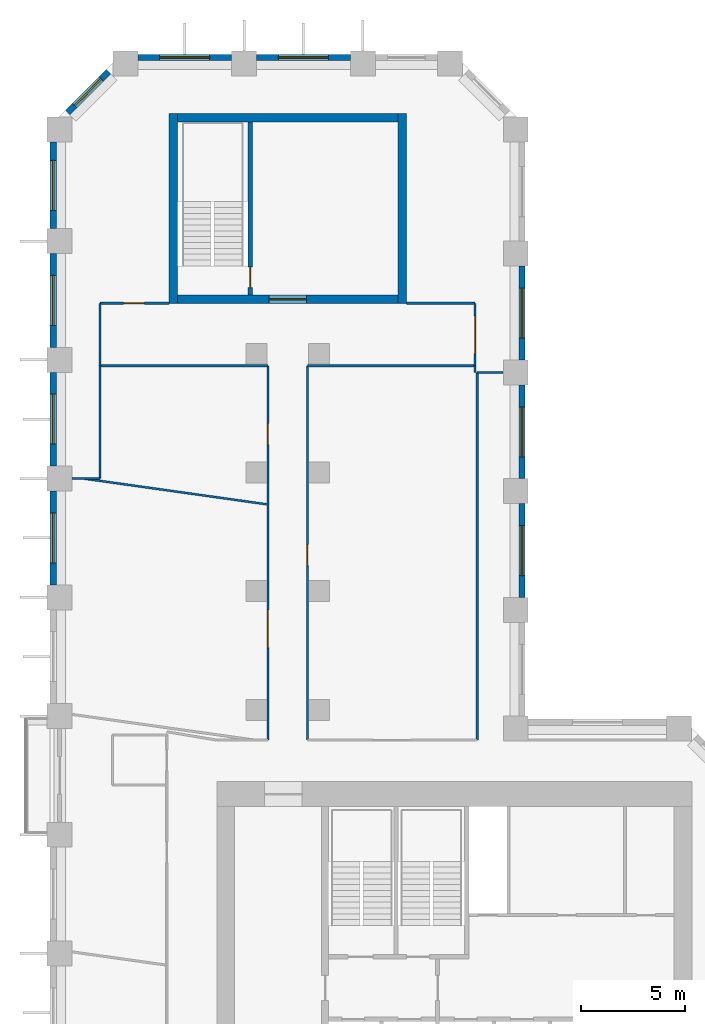
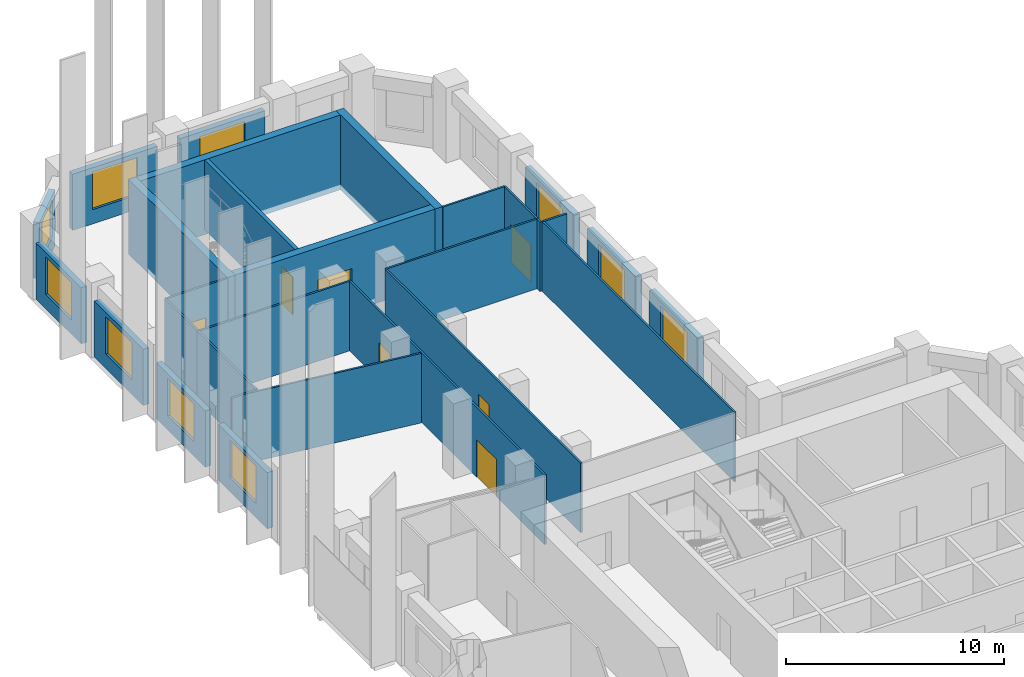
# One storey, part 8 of 10: 29 walls, 10 windows, 7 doors, 17 openings.
"""IFC4 building model written with IfcOpenShell, lengths in metres."""

from ifc_helpers import new_model, si_unit, direction, frame, frame_2d, origin, place, context, subcontext, project, spatial, rectangle, extrude, material, layer, layer_set, type_object, element, fill, save


model = new_model("IFC4")

# Units and contexts
model_context = context("Model", 3, precision=1e-05, world=origin(), true_north=direction((0.0, 1.0)))
body_context = subcontext(model_context, "Body", "Model", "MODEL_VIEW")
ifc_project = project(units=[si_unit("LENGTHUNIT", "METRE"), si_unit("AREAUNIT", "SQUARE_METRE"), si_unit("VOLUMEUNIT", "CUBIC_METRE"), si_unit("PLANEANGLEUNIT", "RADIAN"), si_unit("MASSUNIT", "GRAM", prefix="KILO")], contexts=[model_context])

# Site, building, storey
site_placement = place(None, origin())
site = spatial("IfcSite", under=ifc_project, at=site_placement, CompositionType="ELEMENT")
building_placement = place(site_placement, origin())
building = spatial("IfcBuilding", under=site, at=building_placement, Name="Meshkara Civic Tower", CompositionType="ELEMENT")
storey_placement = place(building_placement, frame((0.0, 0.0, 195.0)))
storey = spatial("IfcBuildingStorey", under=building, at=storey_placement, Name="L44", CompositionType="ELEMENT", Elevation=195.0)

# Walls
ifc_material_1 = material(Name="Corridor wall 100")
ifc_layer_1 = layer(ifc_material_1, 0.10009765625)
ifc_layer_set_1 = layer_set([ifc_layer_1], Name="Corridor wall 100")
wall_type_1 = type_object("IfcWallType", Name="Corridor wall 100", PredefinedType="PARTITIONING", material=ifc_layer_set_1)
wall_1_placement = place(storey_placement, frame((2.39990234375, 56.8701171875, 0.0), z_axis=(0.0, 0.0, 1.0), x_axis=(1.0, 0.0, 0.0)))
element("IfcWall", 1, at=wall_1_placement, inside=storey, type_object=wall_type_1, Name="L44-W001", PredefinedType="PARTITIONING", context=body_context, shape_type="SweptSolid", body=[
    extrude(rectangle(XDim=8.050048828125, YDim=0.10009765625, at=frame_2d((4.02490234375, 0.0))), origin(), (0.0, 0.0, 1.0), 3.89990234375),
])
wall_2_placement = place(storey_placement, frame((2.39990234375, 59.8701171875, 0.0), z_axis=(0.0, 0.0, 1.0), x_axis=(0.0, -1.0, 0.0)))
element("IfcWall", 2, at=wall_2_placement, inside=storey, type_object=wall_type_1, Name="L44-W002", PredefinedType="PARTITIONING", context=body_context, shape_type="SweptSolid", body=[
    extrude(rectangle(XDim=3.0, YDim=0.10009765625, at=frame_2d((1.5, 0.0))), origin(), (0.0, 0.0, 1.0), 3.89990234375),
])

# Wall, opening, door
wall_3_placement = place(storey_placement, frame((5.699951171875, 59.8701171875, 0.0), z_axis=(0.0, 0.0, 1.0), x_axis=(-1.0, 0.0, 0.0)))
wall_3 = element("IfcWall", 3, at=wall_3_placement, inside=storey, type_object=wall_type_1, Name="L44-W005", PredefinedType="PARTITIONING", context=body_context, shape_type="SweptSolid", body=[
    extrude(rectangle(XDim=3.300048828125, YDim=0.10009765625, at=frame_2d((1.64990234375, 0.0))), origin(), (0.0, 0.0, 1.0), 3.89990234375),
])
opening_1_placement = place(wall_3_placement, frame((1.179931640625, 0.0, 0.0)))
opening_1 = element("IfcOpeningElement", 4, at=opening_1_placement, cuts=wall_3, Name="Opening L44-D021", PredefinedType="OPENING", context=body_context, shape_type="SweptSolid", body=[
    extrude(rectangle(XDim=1.0, YDim=2.10009765625, at=frame_2d((0.5, 1.050048828125))), frame((0.0, 0.06005859375, 0.0), z_axis=(0.0, -1.0, 0.0), x_axis=(1.0, 0.0, 0.0)), (0.0, 0.0, 1.0), 0.1201171875),
])
ifc_material_2 = material(Name="Door 1000 x 2100")
door_type_1 = type_object("IfcDoorType", Name="Door 1000 x 2100", OperationType="SINGLE_SWING_LEFT", PredefinedType="DOOR", material=ifc_material_2)
door_1_placement = place(opening_1_placement, origin())
door_1 = element("IfcDoor", 5, at=door_1_placement, inside=storey, type_object=door_type_1, Name="L44-D021", OperationType="SINGLE_SWING_LEFT", OverallHeight=2.10009765625, OverallWidth=1.0, PredefinedType="DOOR", context=body_context, shape_type="SweptSolid", body=[
    extrude(rectangle(XDim=1.0, YDim=2.10009765625, at=frame_2d((0.5, 1.050048828125))), frame((0.0, 0.02490234375, 0.0), z_axis=(0.0, -1.0, 0.0), x_axis=(1.0, 0.0, 0.0)), (0.0, 0.0, 1.0), 0.050048828125),
])
fill(opening_1, door_1)

# Wall, openings, doors
wall_4_placement = place(storey_placement, frame((10.449951171875, 56.8701171875, 0.0), z_axis=(0.0, 0.0, 1.0), x_axis=(0.0, -1.0, 0.0)))
wall_4 = element("IfcWall", 6, at=wall_4_placement, inside=storey, type_object=wall_type_1, Name="L44-W013", PredefinedType="PARTITIONING", context=body_context, shape_type="SweptSolid", body=[
    extrude(rectangle(XDim=17.97021484375, YDim=0.10009765625, at=frame_2d((8.985107421875, 0.0))), origin(), (0.0, 0.0, 1.0), 3.89990234375),
])
opening_2_placement = place(wall_4_placement, frame((11.73095703125, 0.0, 0.0)))
opening_2 = element("IfcOpeningElement", 7, at=opening_2_placement, cuts=wall_4, Name="Opening L44-D018", PredefinedType="OPENING", context=body_context, shape_type="SweptSolid", body=[
    extrude(rectangle(XDim=1.800048828125, YDim=2.10009765625, at=frame_2d((0.89990234375, 1.050048828125))), frame((0.0, 0.06005859375, 0.0), z_axis=(0.0, -1.0, 0.0), x_axis=(1.0, 0.0, 0.0)), (0.0, 0.0, 1.0), 0.1201171875),
])
opening_3_placement = place(wall_4_placement, frame((2.780029296875, 0.0, 0.0)))
opening_3 = element("IfcOpeningElement", 8, at=opening_3_placement, cuts=wall_4, Name="Opening L44-D020", PredefinedType="OPENING", context=body_context, shape_type="SweptSolid", body=[
    extrude(rectangle(XDim=1.0, YDim=2.10009765625, at=frame_2d((0.5, 1.050048828125))), frame((0.0, 0.06005859375, 0.0), z_axis=(0.0, -1.0, 0.0), x_axis=(1.0, 0.0, 0.0)), (0.0, 0.0, 1.0), 0.1201171875),
])
door_2_placement = place(opening_3_placement, origin())
door_2 = element("IfcDoor", 9, at=door_2_placement, inside=storey, type_object=door_type_1, Name="L44-D020", OperationType="SINGLE_SWING_RIGHT", OverallHeight=2.10009765625, OverallWidth=1.0, PredefinedType="DOOR", context=body_context, shape_type="SweptSolid", body=[
    extrude(rectangle(XDim=1.0, YDim=2.10009765625, at=frame_2d((0.5, 1.050048828125))), frame((0.0, 0.02490234375, 0.0), z_axis=(0.0, -1.0, 0.0), x_axis=(1.0, 0.0, 0.0)), (0.0, 0.0, 1.0), 0.050048828125),
])
fill(opening_3, door_2)
ifc_material_3 = material(Name="Door pair 1800 x 2100")
door_type_2 = type_object("IfcDoorType", Name="Door pair 1800 x 2100", OperationType="SINGLE_SWING_LEFT", PredefinedType="DOOR", material=ifc_material_3)
door_3_placement = place(opening_2_placement, origin())
door_3 = element("IfcDoor", 10, at=door_3_placement, inside=storey, type_object=door_type_2, Name="L44-D018", OperationType="DOUBLE_DOOR_SINGLE_SWING", OverallHeight=2.10009765625, OverallWidth=1.800048828125, PredefinedType="DOOR", context=body_context, shape_type="SweptSolid", body=[
    extrude(rectangle(XDim=1.800048828125, YDim=2.10009765625, at=frame_2d((0.89990234375, 1.050048828125))), frame((0.0, 0.02490234375, 0.0), z_axis=(0.0, -1.0, 0.0), x_axis=(1.0, 0.0, 0.0)), (0.0, 0.0, 1.0), 0.050048828125),
])
fill(opening_2, door_3)

# Wall, opening, door
wall_5_placement = place(storey_placement, frame((12.35009765625, 38.89990234375, 0.0), z_axis=(0.0, 0.0, 1.0), x_axis=(0.0, 1.0, 0.0)))
wall_5 = element("IfcWall", 11, at=wall_5_placement, inside=storey, type_object=wall_type_1, Name="L44-W014", PredefinedType="PARTITIONING", context=body_context, shape_type="SweptSolid", body=[
    extrude(rectangle(XDim=17.97021484375, YDim=0.10009765625, at=frame_2d((8.985107421875, 0.0))), origin(), (0.0, 0.0, 1.0), 3.89990234375),
])
opening_4_placement = place(wall_5_placement, frame((8.3798828125, 0.0, 0.0)))
opening_4 = element("IfcOpeningElement", 12, at=opening_4_placement, cuts=wall_5, Name="Opening L44-D019", PredefinedType="OPENING", context=body_context, shape_type="SweptSolid", body=[
    extrude(rectangle(XDim=1.0, YDim=2.10009765625, at=frame_2d((0.5, 1.050048828125))), frame((0.0, 0.06005859375, 0.0), z_axis=(0.0, -1.0, 0.0), x_axis=(1.0, 0.0, 0.0)), (0.0, 0.0, 1.0), 0.1201171875),
])
door_4_placement = place(opening_4_placement, origin())
door_4 = element("IfcDoor", 13, at=door_4_placement, inside=storey, type_object=door_type_1, Name="L44-D019", OperationType="SINGLE_SWING_RIGHT", OverallHeight=2.10009765625, OverallWidth=1.0, PredefinedType="DOOR", context=body_context, shape_type="SweptSolid", body=[
    extrude(rectangle(XDim=1.0, YDim=2.10009765625, at=frame_2d((0.5, 1.050048828125))), frame((0.0, 0.02490234375, 0.0), z_axis=(0.0, -1.0, 0.0), x_axis=(1.0, 0.0, 0.0)), (0.0, 0.0, 1.0), 0.050048828125),
])
fill(opening_4, door_4)

# Wall
wall_6_placement = place(storey_placement, frame((12.35009765625, 56.8701171875, 0.0), z_axis=(0.0, 0.0, 1.0), x_axis=(1.0, 0.0, 0.0)))
element("IfcWall", 14, at=wall_6_placement, inside=storey, type_object=wall_type_1, Name="L44-W015", PredefinedType="PARTITIONING", context=body_context, shape_type="SweptSolid", body=[
    extrude(rectangle(XDim=8.0498046875, YDim=0.10009765625, at=frame_2d((4.02490234375, 0.0))), origin(), (0.0, 0.0, 1.0), 3.89990234375),
])

# Wall, opening, door
wall_7_placement = place(storey_placement, frame((20.39990234375, 56.8701171875, 0.0), z_axis=(0.0, 0.0, 1.0), x_axis=(0.0, 1.0, 0.0)))
wall_7 = element("IfcWall", 15, at=wall_7_placement, inside=storey, type_object=wall_type_1, Name="L44-W017", PredefinedType="PARTITIONING", context=body_context, shape_type="SweptSolid", body=[
    extrude(rectangle(XDim=3.0, YDim=0.10009765625, at=frame_2d((1.5, 0.0))), origin(), (0.0, 0.0, 1.0), 3.89990234375),
])
opening_5_placement = place(wall_7_placement, frame((0.580078125, 0.0, 0.0)))
opening_5 = element("IfcOpeningElement", 16, at=opening_5_placement, cuts=wall_7, Name="Opening L44-D022", PredefinedType="OPENING", context=body_context, shape_type="SweptSolid", body=[
    extrude(rectangle(XDim=1.800048828125, YDim=2.10009765625, at=frame_2d((0.89990234375, 1.050048828125))), frame((0.0, 0.06005859375, 0.0), z_axis=(0.0, -1.0, 0.0), x_axis=(1.0, 0.0, 0.0)), (0.0, 0.0, 1.0), 0.1201171875),
])
door_5_placement = place(opening_5_placement, origin())
door_5 = element("IfcDoor", 17, at=door_5_placement, inside=storey, type_object=door_type_2, Name="L44-D022", OperationType="DOUBLE_DOOR_SINGLE_SWING", OverallHeight=2.10009765625, OverallWidth=1.800048828125, PredefinedType="DOOR", context=body_context, shape_type="SweptSolid", body=[
    extrude(rectangle(XDim=1.800048828125, YDim=2.10009765625, at=frame_2d((0.89990234375, 1.050048828125))), frame((0.0, 0.02490234375, 0.0), z_axis=(0.0, -1.0, 0.0), x_axis=(1.0, 0.0, 0.0)), (0.0, 0.0, 1.0), 0.050048828125),
])
fill(opening_5, door_5)

# Walls
wall_8_placement = place(storey_placement, frame((20.39990234375, 59.8701171875, 0.0), z_axis=(0.0, 0.0, 1.0), x_axis=(-1.0, 0.0, 0.0)))
element("IfcWall", 18, at=wall_8_placement, inside=storey, type_object=wall_type_1, Name="L44-W018", PredefinedType="PARTITIONING", context=body_context, shape_type="SweptSolid", body=[
    extrude(rectangle(XDim=3.2998046875, YDim=0.10009765625, at=frame_2d((1.64990234375, 0.0))), origin(), (0.0, 0.0, 1.0), 3.89990234375),
])
wall_9_placement = place(storey_placement, frame((20.5, 56.550048828125, 0.0), z_axis=(0.0, 0.0, 1.0), x_axis=(0.0, -1.0, 0.0)))
element("IfcWall", 19, at=wall_9_placement, inside=storey, type_object=wall_type_1, Name="L44-W020", PredefinedType="PARTITIONING", context=body_context, shape_type="SweptSolid", body=[
    extrude(rectangle(XDim=17.650146484375, YDim=0.10009765625, at=frame_2d((8.8251953125, 0.0))), origin(), (0.0, 0.0, 1.0), 3.89990234375),
])
wall_10_placement = place(storey_placement, frame((21.75, 56.550048828125, 0.0), z_axis=(0.0, 0.0, 1.0), x_axis=(-1.0, 0.0, 0.0)))
element("IfcWall", 20, at=wall_10_placement, inside=storey, type_object=wall_type_1, Name="L44-W021", PredefinedType="PARTITIONING", context=body_context, shape_type="SweptSolid", body=[
    extrude(rectangle(XDim=1.25, YDim=0.10009765625, at=frame_2d((0.625, 0.0))), origin(), (0.0, 0.0, 1.0), 3.89990234375),
])

# Wall, opening, window
ifc_material_4 = material(Name="Insulated infill panel with bronze anodised aluminium cladding", Category="aluminium")
ifc_layer_2 = layer(ifc_material_4, 0.300048828125)
ifc_layer_set_2 = layer_set([ifc_layer_2], Name="EXTERNAL INFILL WALL 300")
wall_type_2 = type_object("IfcWallType", Name="EXTERNAL INFILL WALL 300", PredefinedType="SOLIDWALL", material=ifc_layer_set_2)
wall_11_placement = place(storey_placement, frame((22.64990234375, 45.75, 0.0), z_axis=(0.0, 0.0, 1.0), x_axis=(0.0, 1.0, 0.0)))
wall_11 = element("IfcWall", 21, at=wall_11_placement, inside=storey, type_object=wall_type_2, Name="External wall", PredefinedType="SOLIDWALL", context=body_context, shape_type="SweptSolid", body=[
    extrude(rectangle(XDim=4.5, YDim=0.300048828125, at=frame_2d((2.25, 0.0))), origin(), (0.0, 0.0, 1.0), 3.14990234375),
])
opening_6_placement = place(wall_11_placement, frame((1.050048828125, 0.0, 0.800048828125)))
opening_6 = element("IfcOpeningElement", 22, at=opening_6_placement, cuts=wall_11, Name="Opening W7", PredefinedType="OPENING", context=body_context, shape_type="SweptSolid", body=[
    extrude(rectangle(XDim=2.39990234375, YDim=2.10009765625, at=frame_2d((1.199951171875, 1.050048828125))), frame((0.0, 0.159912109375, 0.0), z_axis=(0.0, -1.0, 0.0), x_axis=(1.0, 0.0, 0.0)), (0.0, 0.0, 1.0), 0.320068359375),
])
ifc_material_5 = material(Name="Tinted double glazing", Category="glass")
window_type_1 = type_object("IfcWindowType", Name="WINDOW 2400x2100", PartitioningType="DOUBLE_PANEL_VERTICAL", PredefinedType="WINDOW", material=ifc_material_5)
window_1_placement = place(opening_6_placement, origin())
window_1 = element("IfcWindow", 23, at=window_1_placement, inside=storey, type_object=window_type_1, Name="Window", OverallHeight=2.10009765625, OverallWidth=2.39990234375, PartitioningType="DOUBLE_PANEL_VERTICAL", PredefinedType="WINDOW", context=body_context, shape_type="SweptSolid", body=[
    extrude(rectangle(XDim=2.39990234375, YDim=2.10009765625, at=frame_2d((1.199951171875, 1.050048828125))), frame((0.0, 0.030029296875, 0.0), z_axis=(0.0, -1.0, 0.0), x_axis=(1.0, 0.0, 0.0)), (0.0, 0.0, 1.0), 0.06005859375),
])
fill(opening_6, window_1)

wall_12_placement = place(storey_placement, frame((22.64990234375, 51.449951171875, 0.0), z_axis=(0.0, 0.0, 1.0), x_axis=(0.0, 1.0, 0.0)))
wall_12 = element("IfcWall", 24, at=wall_12_placement, inside=storey, type_object=wall_type_2, Name="External wall", PredefinedType="SOLIDWALL", context=body_context, shape_type="SweptSolid", body=[
    extrude(rectangle(XDim=4.5, YDim=0.300048828125, at=frame_2d((2.25, 0.0))), origin(), (0.0, 0.0, 1.0), 3.14990234375),
])
opening_7_placement = place(wall_12_placement, frame((1.050048828125, 0.0, 0.800048828125)))
opening_7 = element("IfcOpeningElement", 25, at=opening_7_placement, cuts=wall_12, Name="Opening W7", PredefinedType="OPENING", context=body_context, shape_type="SweptSolid", body=[
    extrude(rectangle(XDim=2.39990234375, YDim=2.10009765625, at=frame_2d((1.199951171875, 1.050048828125))), frame((0.0, 0.159912109375, 0.0), z_axis=(0.0, -1.0, 0.0), x_axis=(1.0, 0.0, 0.0)), (0.0, 0.0, 1.0), 0.320068359375),
])
window_2_placement = place(opening_7_placement, origin())
window_2 = element("IfcWindow", 26, at=window_2_placement, inside=storey, type_object=window_type_1, Name="Window", OverallHeight=2.10009765625, OverallWidth=2.39990234375, PartitioningType="DOUBLE_PANEL_VERTICAL", PredefinedType="WINDOW", context=body_context, shape_type="SweptSolid", body=[
    extrude(rectangle(XDim=2.39990234375, YDim=2.10009765625, at=frame_2d((1.199951171875, 1.050048828125))), frame((0.0, 0.030029296875, 0.0), z_axis=(0.0, -1.0, 0.0), x_axis=(1.0, 0.0, 0.0)), (0.0, 0.0, 1.0), 0.06005859375),
])
fill(opening_7, window_2)

wall_13_placement = place(storey_placement, frame((22.64990234375, 57.14990234375, 0.0), z_axis=(0.0, 0.0, 1.0), x_axis=(0.0, 1.0, 0.0)))
wall_13 = element("IfcWall", 27, at=wall_13_placement, inside=storey, type_object=wall_type_2, Name="External wall", PredefinedType="SOLIDWALL", context=body_context, shape_type="SweptSolid", body=[
    extrude(rectangle(XDim=4.5, YDim=0.300048828125, at=frame_2d((2.25, 0.0))), origin(), (0.0, 0.0, 1.0), 3.14990234375),
])
opening_8_placement = place(wall_13_placement, frame((1.050048828125, 0.0, 0.800048828125)))
opening_8 = element("IfcOpeningElement", 28, at=opening_8_placement, cuts=wall_13, Name="Opening W7", PredefinedType="OPENING", context=body_context, shape_type="SweptSolid", body=[
    extrude(rectangle(XDim=2.39990234375, YDim=2.10009765625, at=frame_2d((1.199951171875, 1.050048828125))), frame((0.0, 0.159912109375, 0.0), z_axis=(0.0, -1.0, 0.0), x_axis=(1.0, 0.0, 0.0)), (0.0, 0.0, 1.0), 0.320068359375),
])
window_3_placement = place(opening_8_placement, origin())
window_3 = element("IfcWindow", 29, at=window_3_placement, inside=storey, type_object=window_type_1, Name="Window", OverallHeight=2.10009765625, OverallWidth=2.39990234375, PartitioningType="DOUBLE_PANEL_VERTICAL", PredefinedType="WINDOW", context=body_context, shape_type="SweptSolid", body=[
    extrude(rectangle(XDim=2.39990234375, YDim=2.10009765625, at=frame_2d((1.199951171875, 1.050048828125))), frame((0.0, 0.030029296875, 0.0), z_axis=(0.0, -1.0, 0.0), x_axis=(1.0, 0.0, 0.0)), (0.0, 0.0, 1.0), 0.06005859375),
])
fill(opening_8, window_3)

wall_14_placement = place(storey_placement, frame((14.406005859375, 71.669921875, 0.0), z_axis=(0.0, 0.0, 1.0), x_axis=(-1.0, 0.0, 0.0)))
wall_14 = element("IfcWall", 30, at=wall_14_placement, inside=storey, type_object=wall_type_2, Name="External wall", PredefinedType="SOLIDWALL", context=body_context, shape_type="SweptSolid", body=[
    extrude(rectangle(XDim=4.5, YDim=0.300048828125, at=frame_2d((2.25, 0.0))), origin(), (0.0, 0.0, 1.0), 3.14990234375),
])
opening_9_placement = place(wall_14_placement, frame((1.050048828125, 0.0, 0.800048828125)))
opening_9 = element("IfcOpeningElement", 31, at=opening_9_placement, cuts=wall_14, Name="Opening W7", PredefinedType="OPENING", context=body_context, shape_type="SweptSolid", body=[
    extrude(rectangle(XDim=2.39990234375, YDim=2.10009765625, at=frame_2d((1.199951171875, 1.050048828125))), frame((0.0, 0.159912109375, 0.0), z_axis=(0.0, -1.0, 0.0), x_axis=(1.0, 0.0, 0.0)), (0.0, 0.0, 1.0), 0.320068359375),
])
window_4_placement = place(opening_9_placement, origin())
window_4 = element("IfcWindow", 32, at=window_4_placement, inside=storey, type_object=window_type_1, Name="Window", OverallHeight=2.10009765625, OverallWidth=2.39990234375, PartitioningType="DOUBLE_PANEL_VERTICAL", PredefinedType="WINDOW", context=body_context, shape_type="SweptSolid", body=[
    extrude(rectangle(XDim=2.39990234375, YDim=2.10009765625, at=frame_2d((1.199951171875, 1.050048828125))), frame((0.0, 0.030029296875, 0.0), z_axis=(0.0, -1.0, 0.0), x_axis=(1.0, 0.0, 0.0)), (0.0, 0.0, 1.0), 0.06005859375),
])
fill(opening_9, window_4)

wall_15_placement = place(storey_placement, frame((8.7060546875, 71.669921875, 0.0), z_axis=(0.0, 0.0, 1.0), x_axis=(-1.0, 0.0, 0.0)))
wall_15 = element("IfcWall", 33, at=wall_15_placement, inside=storey, type_object=wall_type_2, Name="External wall", PredefinedType="SOLIDWALL", context=body_context, shape_type="SweptSolid", body=[
    extrude(rectangle(XDim=4.5, YDim=0.300048828125, at=frame_2d((2.25, 0.0))), origin(), (0.0, 0.0, 1.0), 3.14990234375),
])
opening_10_placement = place(wall_15_placement, frame((1.050048828125, 0.0, 0.800048828125)))
opening_10 = element("IfcOpeningElement", 34, at=opening_10_placement, cuts=wall_15, Name="Opening W7", PredefinedType="OPENING", context=body_context, shape_type="SweptSolid", body=[
    extrude(rectangle(XDim=2.39990234375, YDim=2.10009765625, at=frame_2d((1.199951171875, 1.050048828125))), frame((0.0, 0.159912109375, 0.0), z_axis=(0.0, -1.0, 0.0), x_axis=(1.0, 0.0, 0.0)), (0.0, 0.0, 1.0), 0.320068359375),
])
window_5_placement = place(opening_10_placement, origin())
window_5 = element("IfcWindow", 35, at=window_5_placement, inside=storey, type_object=window_type_1, Name="Window", OverallHeight=2.10009765625, OverallWidth=2.39990234375, PartitioningType="DOUBLE_PANEL_VERTICAL", PredefinedType="WINDOW", context=body_context, shape_type="SweptSolid", body=[
    extrude(rectangle(XDim=2.39990234375, YDim=2.10009765625, at=frame_2d((1.199951171875, 1.050048828125))), frame((0.0, 0.030029296875, 0.0), z_axis=(0.0, -1.0, 0.0), x_axis=(1.0, 0.0, 0.0)), (0.0, 0.0, 1.0), 0.06005859375),
])
fill(opening_10, window_5)

wall_16_placement = place(storey_placement, frame((2.7939453125, 70.98193359375, 0.0), z_axis=(0.0, 0.0, 1.0), x_axis=(-0.707106781187, -0.707106781187, 0.0)))
wall_16 = element("IfcWall", 36, at=wall_16_placement, inside=storey, type_object=wall_type_2, Name="External wall", PredefinedType="SOLIDWALL", context=body_context, shape_type="SweptSolid", body=[
    extrude(rectangle(XDim=2.766357421875, YDim=0.300048828125, at=frame_2d((1.38330078125, 0.0))), origin(), (0.0, 0.0, 1.0), 3.14990234375),
])
opening_11_placement = place(wall_16_placement, frame((0.48291015625, 0.0, 0.800048828125)))
opening_11 = element("IfcOpeningElement", 37, at=opening_11_placement, cuts=wall_16, Name="Opening W9", PredefinedType="OPENING", context=body_context, shape_type="SweptSolid", body=[
    extrude(rectangle(XDim=1.800048828125, YDim=2.10009765625, at=frame_2d((0.89990234375, 1.050048828125))), frame((0.0, 0.159912109375, 0.0), z_axis=(0.0, -1.0, 0.0), x_axis=(1.0, 0.0, 0.0)), (0.0, 0.0, 1.0), 0.320068359375),
])
ifc_material_6 = material(Name="Tinted double glazing", Category="glass")
window_type_2 = type_object("IfcWindowType", Name="WINDOW 1800x2100", PartitioningType="DOUBLE_PANEL_VERTICAL", PredefinedType="WINDOW", material=ifc_material_6)
window_6_placement = place(opening_11_placement, origin())
window_6 = element("IfcWindow", 38, at=window_6_placement, inside=storey, type_object=window_type_2, Name="Window", OverallHeight=2.10009765625, OverallWidth=1.800048828125, PartitioningType="DOUBLE_PANEL_VERTICAL", PredefinedType="WINDOW", context=body_context, shape_type="SweptSolid", body=[
    extrude(rectangle(XDim=1.800048828125, YDim=2.10009765625, at=frame_2d((0.89990234375, 1.050048828125))), frame((0.0, 0.030029296875, 0.0), z_axis=(0.0, -1.0, 0.0), x_axis=(1.0, 0.0, 0.0)), (0.0, 0.0, 1.0), 0.06005859375),
])
fill(opening_11, window_6)

wall_17_placement = place(storey_placement, frame((0.14990234375, 67.614013671875, 0.0), z_axis=(0.0, 0.0, 1.0), x_axis=(0.0, -1.0, 0.0)))
wall_17 = element("IfcWall", 39, at=wall_17_placement, inside=storey, type_object=wall_type_2, Name="External wall", PredefinedType="SOLIDWALL", context=body_context, shape_type="SweptSolid", body=[
    extrude(rectangle(XDim=4.158935546875, YDim=0.300048828125, at=frame_2d((2.07958984375, 0.0))), origin(), (0.0, 0.0, 1.0), 3.14990234375),
])
opening_12_placement = place(wall_17_placement, frame((0.8798828125, 0.0, 0.800048828125)))
opening_12 = element("IfcOpeningElement", 40, at=opening_12_placement, cuts=wall_17, Name="Opening W7", PredefinedType="OPENING", context=body_context, shape_type="SweptSolid", body=[
    extrude(rectangle(XDim=2.39990234375, YDim=2.10009765625, at=frame_2d((1.199951171875, 1.050048828125))), frame((0.0, 0.159912109375, 0.0), z_axis=(0.0, -1.0, 0.0), x_axis=(1.0, 0.0, 0.0)), (0.0, 0.0, 1.0), 0.320068359375),
])
window_7_placement = place(opening_12_placement, origin())
window_7 = element("IfcWindow", 41, at=window_7_placement, inside=storey, type_object=window_type_1, Name="Window", OverallHeight=2.10009765625, OverallWidth=2.39990234375, PartitioningType="DOUBLE_PANEL_VERTICAL", PredefinedType="WINDOW", context=body_context, shape_type="SweptSolid", body=[
    extrude(rectangle(XDim=2.39990234375, YDim=2.10009765625, at=frame_2d((1.199951171875, 1.050048828125))), frame((0.0, 0.030029296875, 0.0), z_axis=(0.0, -1.0, 0.0), x_axis=(1.0, 0.0, 0.0)), (0.0, 0.0, 1.0), 0.06005859375),
])
fill(opening_12, window_7)

wall_18_placement = place(storey_placement, frame((0.14990234375, 62.2548828125, 0.0), z_axis=(0.0, 0.0, 1.0), x_axis=(0.0, -1.0, 0.0)))
wall_18 = element("IfcWall", 42, at=wall_18_placement, inside=storey, type_object=wall_type_2, Name="External wall", PredefinedType="SOLIDWALL", context=body_context, shape_type="SweptSolid", body=[
    extrude(rectangle(XDim=4.5, YDim=0.300048828125, at=frame_2d((2.25, 0.0))), origin(), (0.0, 0.0, 1.0), 3.14990234375),
])
opening_13_placement = place(wall_18_placement, frame((1.050048828125, 0.0, 0.800048828125)))
opening_13 = element("IfcOpeningElement", 43, at=opening_13_placement, cuts=wall_18, Name="Opening W7", PredefinedType="OPENING", context=body_context, shape_type="SweptSolid", body=[
    extrude(rectangle(XDim=2.39990234375, YDim=2.10009765625, at=frame_2d((1.199951171875, 1.050048828125))), frame((0.0, 0.159912109375, 0.0), z_axis=(0.0, -1.0, 0.0), x_axis=(1.0, 0.0, 0.0)), (0.0, 0.0, 1.0), 0.320068359375),
])
window_8_placement = place(opening_13_placement, origin())
window_8 = element("IfcWindow", 44, at=window_8_placement, inside=storey, type_object=window_type_1, Name="Window", OverallHeight=2.10009765625, OverallWidth=2.39990234375, PartitioningType="DOUBLE_PANEL_VERTICAL", PredefinedType="WINDOW", context=body_context, shape_type="SweptSolid", body=[
    extrude(rectangle(XDim=2.39990234375, YDim=2.10009765625, at=frame_2d((1.199951171875, 1.050048828125))), frame((0.0, 0.030029296875, 0.0), z_axis=(0.0, -1.0, 0.0), x_axis=(1.0, 0.0, 0.0)), (0.0, 0.0, 1.0), 0.06005859375),
])
fill(opening_13, window_8)

wall_19_placement = place(storey_placement, frame((0.14990234375, 56.554931640625, 0.0), z_axis=(0.0, 0.0, 1.0), x_axis=(0.0, -1.0, 0.0)))
wall_19 = element("IfcWall", 45, at=wall_19_placement, inside=storey, type_object=wall_type_2, Name="External wall", PredefinedType="SOLIDWALL", context=body_context, shape_type="SweptSolid", body=[
    extrude(rectangle(XDim=4.5, YDim=0.300048828125, at=frame_2d((2.25, 0.0))), origin(), (0.0, 0.0, 1.0), 3.14990234375),
])
opening_14_placement = place(wall_19_placement, frame((1.050048828125, 0.0, 0.800048828125)))
opening_14 = element("IfcOpeningElement", 46, at=opening_14_placement, cuts=wall_19, Name="Opening W7", PredefinedType="OPENING", context=body_context, shape_type="SweptSolid", body=[
    extrude(rectangle(XDim=2.39990234375, YDim=2.10009765625, at=frame_2d((1.199951171875, 1.050048828125))), frame((0.0, 0.159912109375, 0.0), z_axis=(0.0, -1.0, 0.0), x_axis=(1.0, 0.0, 0.0)), (0.0, 0.0, 1.0), 0.320068359375),
])
window_9_placement = place(opening_14_placement, origin())
window_9 = element("IfcWindow", 47, at=window_9_placement, inside=storey, type_object=window_type_1, Name="Window", OverallHeight=2.10009765625, OverallWidth=2.39990234375, PartitioningType="DOUBLE_PANEL_VERTICAL", PredefinedType="WINDOW", context=body_context, shape_type="SweptSolid", body=[
    extrude(rectangle(XDim=2.39990234375, YDim=2.10009765625, at=frame_2d((1.199951171875, 1.050048828125))), frame((0.0, 0.030029296875, 0.0), z_axis=(0.0, -1.0, 0.0), x_axis=(1.0, 0.0, 0.0)), (0.0, 0.0, 1.0), 0.06005859375),
])
fill(opening_14, window_9)

wall_20_placement = place(storey_placement, frame((0.14990234375, 50.85498046875, 0.0), z_axis=(0.0, 0.0, 1.0), x_axis=(0.0, -1.0, 0.0)))
wall_20 = element("IfcWall", 48, at=wall_20_placement, inside=storey, type_object=wall_type_2, Name="External wall", PredefinedType="SOLIDWALL", context=body_context, shape_type="SweptSolid", body=[
    extrude(rectangle(XDim=4.5, YDim=0.300048828125, at=frame_2d((2.25, 0.0))), origin(), (0.0, 0.0, 1.0), 3.14990234375),
])
opening_15_placement = place(wall_20_placement, frame((1.050048828125, 0.0, 0.800048828125)))
opening_15 = element("IfcOpeningElement", 49, at=opening_15_placement, cuts=wall_20, Name="Opening W7", PredefinedType="OPENING", context=body_context, shape_type="SweptSolid", body=[
    extrude(rectangle(XDim=2.39990234375, YDim=2.10009765625, at=frame_2d((1.199951171875, 1.050048828125))), frame((0.0, 0.159912109375, 0.0), z_axis=(0.0, -1.0, 0.0), x_axis=(1.0, 0.0, 0.0)), (0.0, 0.0, 1.0), 0.320068359375),
])
window_10_placement = place(opening_15_placement, origin())
window_10 = element("IfcWindow", 50, at=window_10_placement, inside=storey, type_object=window_type_1, Name="Window", OverallHeight=2.10009765625, OverallWidth=2.39990234375, PartitioningType="DOUBLE_PANEL_VERTICAL", PredefinedType="WINDOW", context=body_context, shape_type="SweptSolid", body=[
    extrude(rectangle(XDim=2.39990234375, YDim=2.10009765625, at=frame_2d((1.199951171875, 1.050048828125))), frame((0.0, 0.030029296875, 0.0), z_axis=(0.0, -1.0, 0.0), x_axis=(1.0, 0.0, 0.0)), (0.0, 0.0, 1.0), 0.06005859375),
])
fill(opening_15, window_10)

# Walls
ifc_material_7 = material(Name="Concrete C70", Category="concrete")
ifc_layer_3 = layer(ifc_material_7, 0.39990234375)
ifc_layer_set_3 = layer_set([ifc_layer_3], Name="End core ring wall 400 C70")
wall_type_3 = type_object("IfcWallType", Name="End core ring wall 400 C70", PredefinedType="SHEAR", material=ifc_layer_set_3)
for number, where, z_axis, x_axis, name in (
    (51, (5.89990234375, 59.8701171875, -0.300048828125), (0.0, 0.0, 1.0), (0.0, 1.0, 0.0), "L44-C023"),
    (52, (16.89990234375, 59.8701171875, -0.300048828125), (0.0, 0.0, 1.0), (0.0, 1.0, 0.0), "L44-C024"),
):
    element("IfcWall", number, at=place(storey_placement, frame(where, z_axis=z_axis, x_axis=x_axis)), inside=storey, type_object=wall_type_3, Name=name, PredefinedType="SHEAR", context=body_context, shape_type="SweptSolid", body=[
        extrude(rectangle(XDim=9.099853515625, YDim=0.39990234375, at=frame_2d((4.5498046875, 0.0))), origin(), (0.0, 0.0, 1.0), 4.199951171875),
    ])

# Wall, opening, door
wall_21_placement = place(storey_placement, frame((6.10009765625, 60.070068359375, -0.300048828125), z_axis=(0.0, 0.0, 1.0), x_axis=(1.0, 0.0, 0.0)))
wall_21 = element("IfcWall", 53, at=wall_21_placement, inside=storey, type_object=wall_type_3, Name="L44-C025", PredefinedType="SHEAR", context=body_context, shape_type="SweptSolid", body=[
    extrude(rectangle(XDim=10.599853515625, YDim=0.39990234375, at=frame_2d((5.2998046875, 0.0))), origin(), (0.0, 0.0, 1.0), 4.199951171875),
])
opening_16_placement = place(wall_21_placement, frame((4.39990234375, 0.0, 0.300048828125)))
opening_16 = element("IfcOpeningElement", 54, at=opening_16_placement, cuts=wall_21, Name="Opening L44-K102", PredefinedType="OPENING", context=body_context, shape_type="SweptSolid", body=[
    extrude(rectangle(XDim=1.800048828125, YDim=2.10009765625, at=frame_2d((0.89990234375, 1.050048828125))), frame((0.0, 0.2099609375, 0.0), z_axis=(0.0, -1.0, 0.0), x_axis=(1.0, 0.0, 0.0)), (0.0, 0.0, 1.0), 0.419921875),
])
ifc_material_8 = material(Name="Fire-rated door leaf in steel frame", Category="steel")
door_type_3 = type_object("IfcDoorType", Name="Core double door 1800 EI 60", OperationType="DOUBLE_DOOR_SINGLE_SWING", PredefinedType="DOOR", material=ifc_material_8)
door_6_placement = place(opening_16_placement, origin())
door_6 = element("IfcDoor", 55, at=door_6_placement, inside=storey, type_object=door_type_3, Name="L44-K102", OperationType="DOUBLE_DOOR_SINGLE_SWING", OverallHeight=2.10009765625, OverallWidth=1.800048828125, PredefinedType="DOOR", context=body_context, shape_type="SweptSolid", body=[
    extrude(rectangle(XDim=1.800048828125, YDim=2.10009765625, at=frame_2d((0.89990234375, 1.050048828125))), frame((0.0, 0.02490234375, 0.0), z_axis=(0.0, -1.0, 0.0), x_axis=(1.0, 0.0, 0.0)), (0.0, 0.0, 1.0), 0.050048828125),
])
fill(opening_16, door_6)

# Walls
wall_22_placement = place(storey_placement, frame((6.10009765625, 68.77001953125, -0.300048828125), z_axis=(0.0, 0.0, 1.0), x_axis=(1.0, 0.0, 0.0)))
element("IfcWall", 56, at=wall_22_placement, inside=storey, type_object=wall_type_3, Name="L44-C026", PredefinedType="SHEAR", context=body_context, shape_type="SweptSolid", body=[
    extrude(rectangle(XDim=10.599853515625, YDim=0.39990234375, at=frame_2d((5.2998046875, 0.0))), origin(), (0.0, 0.0, 1.0), 4.199951171875),
])
ifc_material_9 = material(Name="Partition 100")
ifc_layer_4 = layer(ifc_material_9, 0.10009765625)
ifc_layer_set_4 = layer_set([ifc_layer_4], Name="Partition 100")
wall_type_4 = type_object("IfcWallType", Name="Partition 100", PredefinedType="PARTITIONING", material=ifc_layer_set_4)
wall_23_placement = place(storey_placement, frame((1.050048828125, 51.455078125, 0.0), z_axis=(0.0, 0.0, 1.0), x_axis=(1.0, 0.0, 0.0)))
element("IfcWall", 57, at=wall_23_placement, inside=storey, type_object=wall_type_4, Name="L44-W041", PredefinedType="PARTITIONING", context=body_context, shape_type="SweptSolid", body=[
    extrude(rectangle(XDim=1.349853515625, YDim=0.10009765625, at=frame_2d((0.6748046875, 0.0))), origin(), (0.0, 0.0, 1.0), 3.89990234375),
])
wall_24_placement = place(storey_placement, frame((2.39990234375, 51.455078125, 0.0), z_axis=(0.0, 0.0, 1.0), x_axis=(0.0, 1.0, 0.0)))
element("IfcWall", 58, at=wall_24_placement, inside=storey, type_object=wall_type_4, Name="L44-W042", PredefinedType="PARTITIONING", context=body_context, shape_type="SweptSolid", body=[
    extrude(rectangle(XDim=5.4189453125, YDim=0.10009765625, at=frame_2d((2.70947265625, 0.0))), origin(), (0.0, 0.0, 1.0), 3.89990234375),
])
wall_25_placement = place(storey_placement, frame((10.39306640625, 50.218994140625, 0.0), z_axis=(0.0, 0.0, 1.0), x_axis=(-0.99025894891, 0.139237976514, 0.0)))
element("IfcWall", 59, at=wall_25_placement, inside=storey, type_object=wall_type_4, Name="L44-W050", PredefinedType="PARTITIONING", context=body_context, shape_type="SweptSolid", body=[
    extrude(rectangle(XDim=8.87744140625, YDim=0.10009765625, at=frame_2d((4.438720703125, 0.0))), origin(), (0.0, 0.0, 1.0), 3.89990234375),
])
wall_26_placement = place(storey_placement, frame((20.39990234375, 56.550048828125, 0.0), z_axis=(0.0, 0.0, 1.0), x_axis=(0.0, 1.0, 0.0)))
element("IfcWall", 60, at=wall_26_placement, inside=storey, type_object=wall_type_4, Name="L44-W052", PredefinedType="PARTITIONING", context=body_context, shape_type="SweptSolid", body=[
    extrude(rectangle(XDim=0.323974609375, YDim=0.10009765625, at=frame_2d((0.162109375, 0.0))), origin(), (0.0, 0.0, 1.0), 3.89990234375),
])

# Wall, opening, door
ifc_material_10 = material(Name="Concrete C40/50", Category="concrete")
ifc_layer_5 = layer(ifc_material_10, 0.199951171875)
ifc_layer_set_5 = layer_set([ifc_layer_5], Name="Stair enclosure wall 200 C40/50")
wall_type_5 = type_object("IfcWallType", Name="Stair enclosure wall 200 C40/50", PredefinedType="SOLIDWALL", material=ifc_layer_set_5)
wall_27_placement = place(storey_placement, frame((9.60009765625, 60.27001953125, 0.0), z_axis=(0.0, 0.0, 1.0), x_axis=(0.0, 1.0, 0.0)))
wall_27 = element("IfcWall", 61, at=wall_27_placement, inside=storey, type_object=wall_type_5, Name="L44-C027", PredefinedType="SOLIDWALL", context=body_context, shape_type="SweptSolid", body=[
    extrude(rectangle(XDim=8.300048828125, YDim=0.199951171875, at=frame_2d((4.14990234375, 0.0))), origin(), (0.0, 0.0, 1.0), 3.89990234375),
])
opening_17_placement = place(wall_27_placement, frame((0.35009765625, 0.0, 0.0)))
opening_17 = element("IfcOpeningElement", 62, at=opening_17_placement, cuts=wall_27, Name="Opening L44-K101", PredefinedType="OPENING", context=body_context, shape_type="SweptSolid", body=[
    extrude(rectangle(XDim=1.0, YDim=2.10009765625, at=frame_2d((0.5, 1.050048828125))), frame((0.0, 0.10986328125, 0.0), z_axis=(0.0, -1.0, 0.0), x_axis=(1.0, 0.0, 0.0)), (0.0, 0.0, 1.0), 0.219970703125),
])
ifc_material_11 = material(Name="Fire-rated door leaf in steel frame", Category="steel")
door_type_4 = type_object("IfcDoorType", Name="Stair door 1000 EI 120", OperationType="SINGLE_SWING_LEFT", PredefinedType="DOOR", material=ifc_material_11)
door_7_placement = place(opening_17_placement, origin())
door_7 = element("IfcDoor", 63, at=door_7_placement, inside=storey, type_object=door_type_4, Name="L44-K101", OperationType="SINGLE_SWING_RIGHT", OverallHeight=2.10009765625, OverallWidth=1.0, PredefinedType="DOOR", context=body_context, shape_type="SweptSolid", body=[
    extrude(rectangle(XDim=1.0, YDim=2.10009765625, at=frame_2d((0.5, 1.050048828125))), frame((0.0, 0.02490234375, 0.0), z_axis=(0.0, -1.0, 0.0), x_axis=(1.0, 0.0, 0.0)), (0.0, 0.0, 1.0), 0.050048828125),
])
fill(opening_17, door_7)

save(model, "model.ifc")
